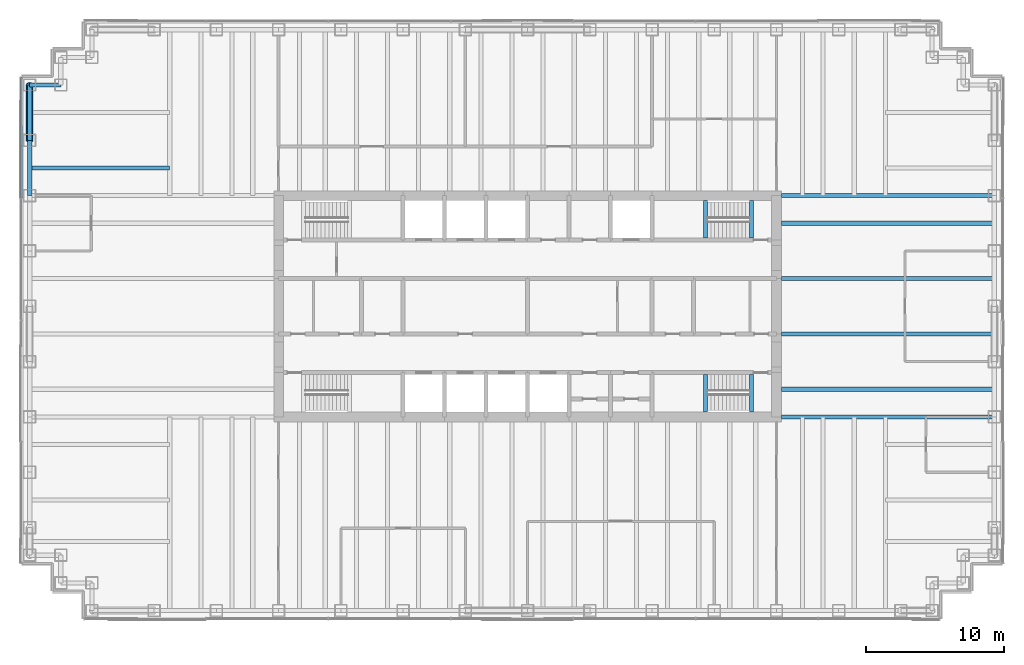
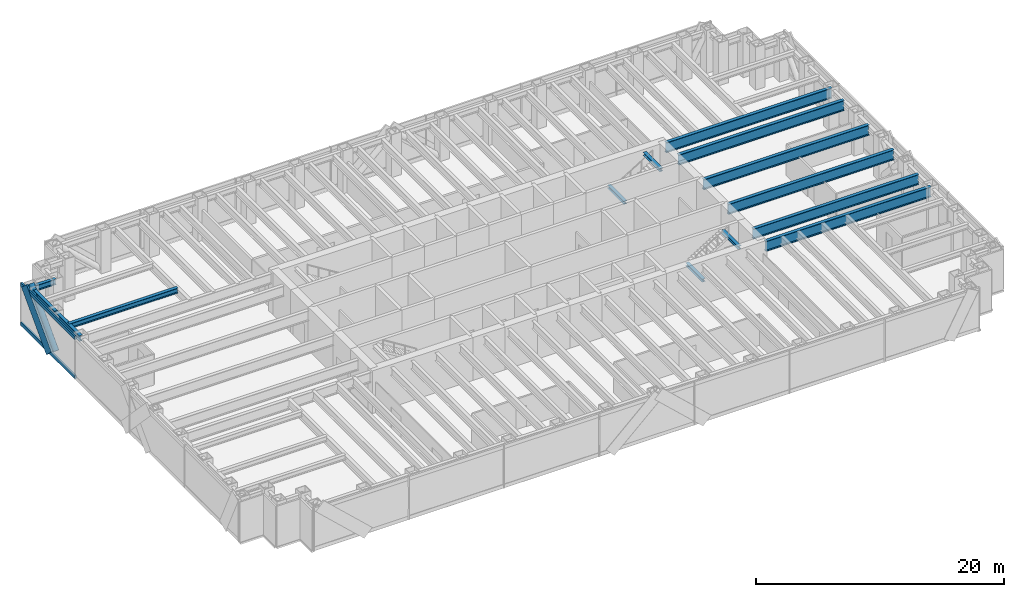
# One storey, part 5 of 15: 14 beams, 4 members, 1 element without a shape of its own.
"""IFC4 building model written with IfcOpenShell, lengths in metres."""

from ifc_helpers import new_model, si_unit, direction, frame, origin, origin_2d, place, context, subcontext, project, spatial, rectangle, hollow_circle, i_section, extrude, material, material_profile, profile_set, type_object, element, aggregate, save


model = new_model("IFC4")

# Units and contexts
model_context = context("Model", 3, precision=1e-05, world=origin(), true_north=direction((0.0, 1.0)))
body_context = subcontext(model_context, "Body", "Model", "MODEL_VIEW")
ifc_project = project(units=[si_unit("LENGTHUNIT", "METRE"), si_unit("AREAUNIT", "SQUARE_METRE"), si_unit("VOLUMEUNIT", "CUBIC_METRE"), si_unit("PLANEANGLEUNIT", "RADIAN"), si_unit("MASSUNIT", "GRAM", prefix="KILO")], contexts=[model_context])

# Site, building, storey
site_placement = place(None, origin())
site = spatial("IfcSite", under=ifc_project, at=site_placement, CompositionType="ELEMENT")
building_placement = place(site_placement, origin())
building = spatial("IfcBuilding", under=site, at=building_placement, Name="Rheinbord Bourse Tower", CompositionType="ELEMENT")
storey_placement = place(building_placement, frame((0.0, 0.0, 329.89990234375)))
storey = spatial("IfcBuildingStorey", under=building, at=storey_placement, Name="L75", CompositionType="ELEMENT", Elevation=329.89990234375)

# Curtain wall, members
ifc_material_1 = material(Name="Dark glass and black aluminium", Category="aluminium")
curtain_wall_type = type_object("IfcCurtainWallType", Name="CW3 DARK GLASS CURTAIN WALL", PredefinedType="USERDEFINED", material=ifc_material_1)
curtain_wall_placement = place(storey_placement, origin())
curtain_wall = element("IfcCurtainWall", 1, at=curtain_wall_placement, inside=storey, type_object=curtain_wall_type, Name="Curtain wall CW3 W L75", ObjectType="UNITISED CURTAIN WALL", PredefinedType="USERDEFINED")
ifc_material_2 = material(Name="Black anodised aluminium", Category="aluminium")
ifc_material_profile_1 = material_profile(ifc_material_2, rectangle(XDim=0.14990234375, YDim=1.10791015625, at=origin_2d()), Name="CW3 DIAGONAL MULLION 1108x150")
ifc_profile_set_1 = profile_set([ifc_material_profile_1], Name="Black anodised aluminium")
member_type_1 = type_object("IfcMemberType", Name="CW3 BLACK DIAGONAL MULLION", PredefinedType="USERDEFINED", material=ifc_profile_set_1)
member_1_placement = place(storey_placement, frame((-0.60009765625, 36.0, 0.0), z_axis=(0.0, 0.689638355374, 0.72415394689), x_axis=(-1.0, 0.0, 0.0)))
member_1 = element("IfcMember", 2, at=member_1_placement, type_object=member_type_1, Name="CW3 diagonal mullion c", ObjectType="DIAGONAL MULLION", PredefinedType="USERDEFINED", context=body_context, shape_type="SweptSolid", body=[
    extrude(rectangle(XDim=0.14990234375, YDim=1.10791015625, at=origin_2d()), origin(), (0.0, 0.0, 1.0), 5.800048828125),
])
ifc_material_3 = material(Name="Black anodised aluminium", Category="aluminium")
ifc_material_profile_2 = material_profile(ifc_material_3, rectangle(XDim=0.14990234375, YDim=0.35009765625, at=origin_2d()), Name="CW3 TRANSOM 350x150")
ifc_profile_set_2 = profile_set([ifc_material_profile_2], Name="Black anodised aluminium")
member_type_2 = type_object("IfcMemberType", Name="CW3 BLACK TRANSOM", PredefinedType="USERDEFINED", material=ifc_profile_set_2)
member_2_placement = place(storey_placement, frame((-0.60009765625, 40.534912109375, 0.175048828125), z_axis=(0.0, -1.0, 0.0), x_axis=(1.0, 0.0, 0.0)))
member_2 = element("IfcMember", 3, at=member_2_placement, type_object=member_type_2, Name="CW3 transom 1.1", ObjectType="TRANSOM", PredefinedType="USERDEFINED", context=body_context, shape_type="SweptSolid", body=[
    extrude(rectangle(XDim=0.14990234375, YDim=0.35009765625, at=origin_2d()), origin(), (0.0, 0.0, 1.0), 8.702392578125),
])
member_3_placement = place(storey_placement, frame((-0.60009765625, 40.534912109375, 4.025146484375), z_axis=(0.0, -1.0, 0.0), x_axis=(1.0, 0.0, 0.0)))
member_3 = element("IfcMember", 4, at=member_3_placement, type_object=member_type_2, Name="CW3 transom 1.2", ObjectType="TRANSOM", PredefinedType="USERDEFINED", context=body_context, shape_type="SweptSolid", body=[
    extrude(rectangle(XDim=0.14990234375, YDim=0.35009765625, at=origin_2d()), origin(), (0.0, 0.0, 1.0), 8.702392578125),
])
aggregate(curtain_wall, [member_2, member_3, member_1])

# Beams
ifc_material_4 = material(Name="Steel S460", Category="steel")
ifc_material_profile_3 = material_profile(ifc_material_4, i_section(OverallWidth=0.302001953125, OverallDepth=1.008056640625, WebThickness=0.02099609375, FlangeThickness=0.0400390625, at=origin_2d()), Name="HEM 1000")
ifc_profile_set_3 = profile_set([ifc_material_profile_3], Name="Steel S460")
beam_type_1 = type_object("IfcBeamType", Name="END BEAM HEM 1000", PredefinedType="BEAM", material=ifc_profile_set_3)
for number, where, z_axis, x_axis, name in (
    (5, (54.35009765625, 18.0, 3.446044921875), (1.0, 0.0, 0.0), (0.0, 1.0, 0.0), "End beam east 18 RF"),
    (6, (54.35009765625, 22.0, 3.446044921875), (1.0, 0.0, 0.0), (0.0, 1.0, 0.0), "End beam east 22 RF"),
    (7, (54.35009765625, 26.0, 3.446044921875), (1.0, 0.0, 0.0), (0.0, 1.0, 0.0), "End beam east 26 RF"),
    (8, (54.35009765625, 30.0, 3.446044921875), (1.0, 0.0, 0.0), (0.0, 1.0, 0.0), "End beam east 30 RF"),
):
    element("IfcBeam", number, at=place(storey_placement, frame(where, z_axis=z_axis, x_axis=x_axis)), inside=storey, type_object=beam_type_1, Name=name, PredefinedType="BEAM", context=body_context, shape_type="SweptSolid", body=[
        extrude(i_section(OverallWidth=0.302001953125, OverallDepth=1.008056640625, WebThickness=0.02099609375, FlangeThickness=0.0400390625, at=origin_2d()), origin(), (0.0, 0.0, 1.0), 15.39990234375),
    ])
ifc_material_5 = material(Name="Steel S460", Category="steel")
ifc_material_profile_4 = material_profile(ifc_material_5, i_section(OverallWidth=0.302001953125, OverallDepth=1.008056640625, WebThickness=0.02099609375, FlangeThickness=0.0400390625, at=origin_2d()), Name="HEM 1000")
ifc_profile_set_4 = profile_set([ifc_material_profile_4], Name="Steel S460")
beam_type_2 = type_object("IfcBeamType", Name="GIRDER HEM 1000", PredefinedType="BEAM", material=ifc_profile_set_4)
for number, where, z_axis, x_axis, name in (
    (9, (54.35009765625, 16.0, 3.446044921875), (1.0, 0.0, 0.0), (0.0, 1.0, 0.0), "Girder east 16 RF"),
    (10, (54.35009765625, 32.0, 3.446044921875), (1.0, 0.0, 0.0), (0.0, 1.0, 0.0), "Girder east 32 RF"),
):
    element("IfcBeam", number, at=place(storey_placement, frame(where, z_axis=z_axis, x_axis=x_axis)), inside=storey, type_object=beam_type_2, Name=name, PredefinedType="BEAM", context=body_context, shape_type="SweptSolid", body=[
        extrude(i_section(OverallWidth=0.302001953125, OverallDepth=1.008056640625, WebThickness=0.02099609375, FlangeThickness=0.0400390625, at=origin_2d()), origin(), (0.0, 0.0, 1.0), 15.39990234375),
    ])
ifc_material_6 = material(Name="Steel S460", Category="steel")
ifc_material_profile_5 = material_profile(ifc_material_6, i_section(OverallWidth=0.300048828125, OverallDepth=0.300048828125, WebThickness=0.010986328125, FlangeThickness=0.01904296875, at=origin_2d()), Name="HEB 300")
ifc_profile_set_5 = profile_set([ifc_material_profile_5], Name="Steel S460")
beam_type_3 = type_object("IfcBeamType", Name="LANDING TRIMMER HEB 300", PredefinedType="BEAM", material=ifc_profile_set_5)
for number, where, z_axis, x_axis, name in (
    (11, (48.8701171875, 16.35009765625, 1.75), (0.0, 1.0, 0.0), (-1.0, 0.0, 0.0), "Landing trimmer ST3 L75"),
    (12, (52.199951171875, 16.35009765625, 3.800048828125), (0.0, 1.0, 0.0), (-1.0, 0.0, 0.0), "Well trimmer ST3 under RF"),
    (13, (48.8701171875, 28.949951171875, 1.75), (0.0, 1.0, 0.0), (-1.0, 0.0, 0.0), "Landing trimmer ST4 L75"),
    (14, (52.199951171875, 28.949951171875, 3.800048828125), (0.0, 1.0, 0.0), (-1.0, 0.0, 0.0), "Well trimmer ST4 under RF"),
):
    element("IfcBeam", number, at=place(storey_placement, frame(where, z_axis=z_axis, x_axis=x_axis)), inside=storey, type_object=beam_type_3, Name=name, PredefinedType="BEAM", context=body_context, shape_type="SweptSolid", body=[
        extrude(i_section(OverallWidth=0.300048828125, OverallDepth=0.300048828125, WebThickness=0.010986328125, FlangeThickness=0.01904296875, at=origin_2d()), origin(), (0.0, 0.0, 1.0), 2.699951171875),
    ])

# Member
ifc_material_7 = material(Name="Steel S460", Category="steel")
ifc_material_profile_6 = material_profile(ifc_material_7, hollow_circle(Radius=0.25390625, WallThickness=0.030029296875, at=origin_2d()), Name="CHS 508x30")
ifc_profile_set_6 = profile_set([ifc_material_profile_6], Name="Steel S460")
member_type_3 = type_object("IfcMemberType", Name="MEGABRACE CHS 508x30", PredefinedType="BRACE", material=ifc_profile_set_6)
member_4_placement = place(storey_placement, frame((0.0, 36.0, 0.0), z_axis=(0.0, 0.689638355374, 0.72415394689), x_axis=(-1.0, 0.0, 0.0)))
element("IfcMember", 15, at=member_4_placement, inside=storey, type_object=member_type_3, Name="Megabrace W face line c L75", PredefinedType="BRACE", context=body_context, shape_type="SweptSolid", body=[
    extrude(hollow_circle(Radius=0.25390625, WallThickness=0.030029296875, at=origin_2d()), origin(), (0.0, 0.0, 1.0), 5.800048828125),
])

# Beams
ifc_material_8 = material(Name="Steel S460", Category="steel")
ifc_material_profile_7 = material_profile(ifc_material_8, i_section(OverallWidth=0.300048828125, OverallDepth=0.550048828125, WebThickness=0.014892578125, FlangeThickness=0.029052734375, at=origin_2d()), Name="HEB 550")
ifc_profile_set_7 = profile_set([ifc_material_profile_7], Name="Steel S460")
beam_type_4 = type_object("IfcBeamType", Name="SPANDREL HEB 550", PredefinedType="SPANDREL", material=ifc_profile_set_7)
beam_1_placement = place(storey_placement, frame((2.25, 40.0, 3.675048828125), z_axis=(-1.0, 0.0, 0.0), x_axis=(0.0, -1.0, 0.0)))
element("IfcBeam", 16, at=beam_1_placement, inside=storey, type_object=beam_type_4, Name="Spandrel NW-B-NW-A under RF", PredefinedType="SPANDREL", context=body_context, shape_type="SweptSolid", body=[
    extrude(i_section(OverallWidth=0.300048828125, OverallDepth=0.550048828125, WebThickness=0.014892578125, FlangeThickness=0.029052734375, at=origin_2d()), origin(), (0.0, 0.0, 1.0), 2.25),
])
for number, where, z_axis, x_axis, name in (
    (17, (0.0, 40.0, 3.675048828125), (0.0, -1.0, 0.0), (1.0, 0.0, 0.0), "Spandrel NW-A-W-36 under RF"),
    (18, (0.0, 36.0, 3.675048828125), (0.0, -1.0, 0.0), (1.0, 0.0, 0.0), "Spandrel W-36-W-32 under RF"),
):
    element("IfcBeam", number, at=place(storey_placement, frame(where, z_axis=z_axis, x_axis=x_axis)), inside=storey, type_object=beam_type_4, Name=name, PredefinedType="SPANDREL", context=body_context, shape_type="SweptSolid", body=[
        extrude(i_section(OverallWidth=0.300048828125, OverallDepth=0.550048828125, WebThickness=0.014892578125, FlangeThickness=0.029052734375, at=origin_2d()), origin(), (0.0, 0.0, 1.0), 4.0),
    ])
ifc_material_9 = material(Name="Steel S460", Category="steel")
ifc_material_profile_8 = material_profile(ifc_material_9, i_section(OverallWidth=0.300048828125, OverallDepth=0.5, WebThickness=0.014404296875, FlangeThickness=0.028076171875, at=origin_2d()), Name="HEB 500")
ifc_profile_set_8 = profile_set([ifc_material_profile_8], Name="Steel S460")
beam_type_5 = type_object("IfcBeamType", Name="TIE BEAM HEB 500", PredefinedType="JOIST", material=ifc_profile_set_8)
beam_2_placement = place(storey_placement, frame((0.0, 34.0, 3.7001953125), z_axis=(1.0, 0.0, 0.0), x_axis=(0.0, 1.0, 0.0)))
element("IfcBeam", 19, at=beam_2_placement, inside=storey, type_object=beam_type_5, Name="Tie west 34 RF", PredefinedType="JOIST", context=body_context, shape_type="SweptSolid", body=[
    extrude(i_section(OverallWidth=0.300048828125, OverallDepth=0.5, WebThickness=0.014404296875, FlangeThickness=0.028076171875, at=origin_2d()), origin(), (0.0, 0.0, 1.0), 10.125),
])

save(model, "model.ifc")
